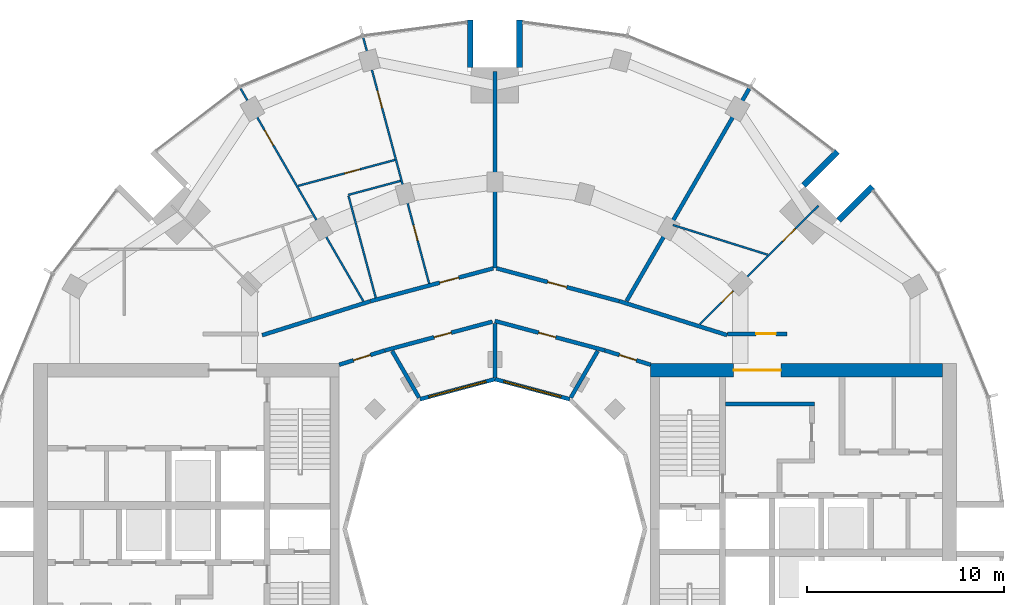
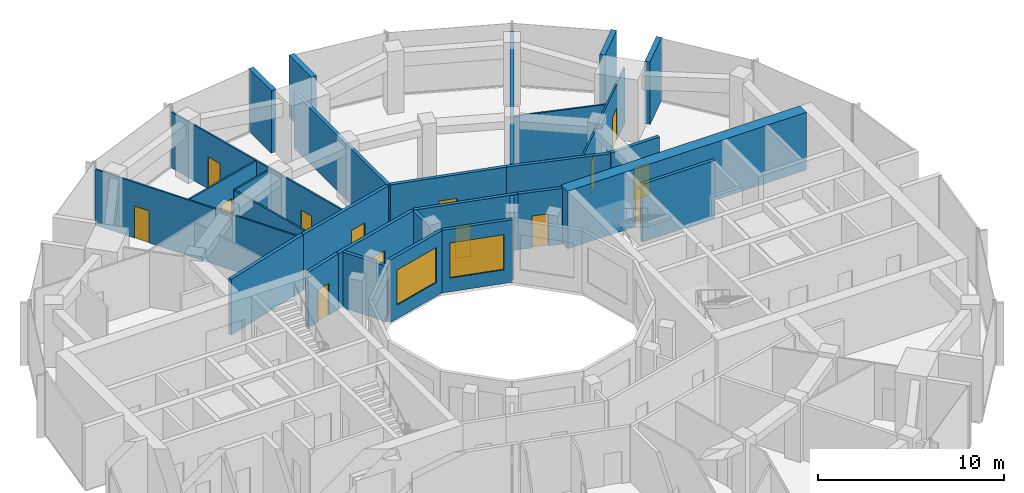
# One storey, part 12 of 15: 29 walls, 14 doors, 2 windows, 16 openings.
"""IFC4 building model written with IfcOpenShell, lengths in metres."""

import ifcopenshell
import ifcopenshell.guid

model = None  # the IFC model being written
_history = None  # IfcOwnerHistory: only IFC2X3 demands one
_inside = {}  # id of a spatial element -> (the spatial element, [elements in it])
_under = {}  # id of a project, library or spatial element -> (it, [spatial elements below it])
_declared = {}  # id of a project -> (the project, [libraries it declares])
_typed = {}  # id of a type object -> (the type object, [elements of that type])
_made_of = {}  # id of a material, layer set ... -> (it, [elements and type objects made of it])


def new_model(schema):
    """Start an empty IFC model of exactly this schema.

    Asked for "IFC4X3", IfcOpenShell would pick the latest addendum, in which some entities
    have other attributes; the version numbers below select the first issue.
    IFC2X3 requires an IfcOwnerHistory on every rooted entity: one is made here for all.
    """
    global model, _history
    if schema == "IFC4X3":
        model = ifcopenshell.file(schema_version=(4, 3, 0, 0))
    else:
        model = ifcopenshell.file(schema=schema)
    _inside.clear()
    _under.clear()
    _declared.clear()
    _typed.clear()
    _made_of.clear()
    _history = None
    if model.schema == "IFC2X3":
        org = make("IfcOrganization", Name="unknown")
        user = make(
            "IfcPersonAndOrganization",
            ThePerson=make("IfcPerson", FamilyName="unknown"),
            TheOrganization=org,
        )
        app = make(
            "IfcApplication",
            ApplicationDeveloper=org,
            Version="unknown",
            ApplicationFullName="unknown",
            ApplicationIdentifier="unknown",
        )
        _history = make(
            "IfcOwnerHistory",
            OwningUser=user,
            OwningApplication=app,
            ChangeAction="ADDED",
            CreationDate=0,
        )
    return model


def make(cls, **values):
    """One entity of the class cls with the attributes given. An attribute that is None is left unset."""
    return model.create_entity(
        cls, **{name: value for name, value in values.items() if value is not None}
    )


def rooted(cls, **values):
    """An entity with a GlobalId (a new one), such as an element, a storey or a relation."""
    return make(cls, GlobalId=ifcopenshell.guid.new(), OwnerHistory=_history, **values)


def si_unit(unit_type, name, prefix=None):
    """IfcSIUnit, for example si_unit("LENGTHUNIT", "METRE", prefix="MILLI")."""
    return make("IfcSIUnit", UnitType=unit_type, Prefix=prefix, Name=name)


def assignment(units):
    """IfcUnitAssignment: the units of a project."""
    return None if units is None else make("IfcUnitAssignment", Units=units)


def point(xyz):
    """IfcCartesianPoint."""
    return None if xyz is None else make("IfcCartesianPoint", Coordinates=xyz)


def direction(xyz):
    """IfcDirection."""
    return None if xyz is None else make("IfcDirection", DirectionRatios=xyz)


def frame(location, z_axis=None, x_axis=None):
    """IfcAxis2Placement3D, a coordinate frame: its origin and axes. An axis left out is left unset."""
    return make(
        "IfcAxis2Placement3D",
        Location=point(location),
        Axis=direction(z_axis),
        RefDirection=direction(x_axis),
    )


def frame_2d(location, x_axis=None):
    """IfcAxis2Placement2D, a coordinate frame in the plane: its origin and x axis."""
    return make(
        "IfcAxis2Placement2D", Location=point(location), RefDirection=direction(x_axis)
    )


def origin():
    """The frame at (0, 0, 0) with its axes left unset."""
    return frame((0.0, 0.0, 0.0))


def place(relative_to, where):
    """IfcLocalPlacement: puts the frame where relative to a parent placement (None: the world)."""
    return make(
        "IfcLocalPlacement", PlacementRelTo=relative_to, RelativePlacement=where
    )


def context(
    kind, dimensions, precision=None, world=None, true_north=None, identifier=None
):
    """IfcGeometricRepresentationContext, for example the 3D "Model" context."""
    return make(
        "IfcGeometricRepresentationContext",
        ContextIdentifier=identifier,
        ContextType=kind,
        CoordinateSpaceDimension=dimensions,
        Precision=precision,
        WorldCoordinateSystem=world,
        TrueNorth=true_north,
    )


def subcontext(parent, identifier, kind, view, scale=None):
    """IfcGeometricRepresentationSubContext, for example "Body" below "Model"."""
    return make(
        "IfcGeometricRepresentationSubContext",
        ContextIdentifier=identifier,
        ContextType=kind,
        ParentContext=parent,
        TargetScale=scale,
        TargetView=view,
    )


def project(units=None, contexts=None):
    """IfcProject with its units and contexts."""
    return rooted(
        "IfcProject",
        Name="project",
        RepresentationContexts=contexts,
        UnitsInContext=assignment(units),
    )


def spatial(cls, under=None, at=None, **own):
    """A site, building, storey or space (cls), placed at a placement, below another one or the project."""
    s = rooted(cls, ObjectPlacement=at, **own)
    if under is not None:
        _under.setdefault(under.id(), (under, []))[1].append(s)
    return s


def profile(cls, at=None, kind="AREA", **sizes):
    """A parametric profile (cls). Its sizes go by their IFC names, for example OverallWidth=200.0."""
    return make(cls, ProfileType=kind, Position=at, **sizes)


def rectangle(**sizes):
    """IfcRectangleProfileDef."""
    return profile("IfcRectangleProfileDef", **sizes)


def extrude(swept, where, along, depth):
    """IfcExtrudedAreaSolid: the profile swept, set in the frame where, extruded along a direction by depth."""
    return make(
        "IfcExtrudedAreaSolid",
        SweptArea=swept,
        Position=where,
        ExtrudedDirection=direction(along),
        Depth=depth,
    )


def shape(context_of_items, identifier, shape_type, items):
    """IfcShapeRepresentation: the items that make up one representation, for example the "Body"."""
    return make(
        "IfcShapeRepresentation",
        ContextOfItems=context_of_items,
        RepresentationIdentifier=identifier,
        RepresentationType=shape_type,
        Items=items,
    )


def material(Name=None, Category=None):
    """IfcMaterial."""
    return make("IfcMaterial", Name=Name, Category=Category)


def layer(
    of_material, thickness, ventilated=None, Name=None, Category=None, Priority=None
):
    """IfcMaterialLayer: one layer of a wall or slab, of a material (None: an air gap)."""
    return make(
        "IfcMaterialLayer",
        Material=of_material,
        LayerThickness=thickness,
        IsVentilated=ventilated,
        Name=Name,
        Category=Category,
        Priority=Priority,
    )


def layer_set(layers, Name=None):
    """IfcMaterialLayerSet."""
    return make("IfcMaterialLayerSet", MaterialLayers=layers, LayerSetName=Name)


def made_of(thing, what):
    """Note that an element or type object is made of a material, layer set ...; save() writes the relation."""
    if what is not None:
        _made_of.setdefault(what.id(), (what, []))[1].append(thing)
    return thing


def type_object(cls, material=None, **own):
    """A type object (cls), such as IfcWallType, which elements share."""
    return made_of(rooted(cls, **own), material)


def element(
    cls,
    number,
    at=None,
    inside=None,
    cuts=None,
    type_object=None,
    material=None,
    context=None,
    identifier="Body",
    shape_type=None,
    held_by="IfcProductDefinitionShape",
    body=None,
    shapes=None,
    **own,
):
    """One element of the class cls, such as IfcWall. Its Tag is "e" and its number.

    at: its placement. inside: the storey or other place that contains it. cuts: it is an
    opening in that element (IfcRelVoidsElement). A single representation is given by context,
    identifier, shape_type and body (its items); several are given by shapes. held_by: the class
    of the entity that holds the representations. save() writes the other relations.
    """
    e = rooted(cls, Tag="e%d" % number, ObjectPlacement=at, **own)
    if body is not None:
        shapes = [shape(context, identifier, shape_type, body)]
    if shapes is not None:
        e.Representation = make(held_by, Representations=shapes)
    if inside is not None:
        _inside.setdefault(inside.id(), (inside, []))[1].append(e)
    if cuts is not None:
        rooted(
            "IfcRelVoidsElement", RelatingBuildingElement=cuts, RelatedOpeningElement=e
        )
    if type_object is not None:
        _typed.setdefault(type_object.id(), (type_object, []))[1].append(e)
    return made_of(e, material)


def fill(opening, filler):
    """IfcRelFillsElement: the door or window that sits in an opening."""
    return rooted(
        "IfcRelFillsElement",
        RelatingOpeningElement=opening,
        RelatedBuildingElement=filler,
    )


def aggregate(whole, parts):
    """IfcRelAggregates: a whole, such as a stair, and the parts it consists of."""
    return rooted("IfcRelAggregates", RelatingObject=whole, RelatedObjects=parts)


def save(model, path):
    """Write the relations noted so far, then the file.

    IfcRelAggregates (storeys below a building ...), IfcRelContainedInSpatialStructure (elements
    in a storey), IfcRelDefinesByType, IfcRelAssociatesMaterial and IfcRelDeclares: one each for
    every whole, place, type object, material and project.
    """
    for whole, parts in _under.values():
        aggregate(whole, parts)
    for where, things in _inside.values():
        rooted(
            "IfcRelContainedInSpatialStructure",
            RelatedElements=things,
            RelatingStructure=where,
        )
    for kind, things in _typed.values():
        rooted("IfcRelDefinesByType", RelatedObjects=things, RelatingType=kind)
    for what, things in _made_of.values():
        rooted("IfcRelAssociatesMaterial", RelatedObjects=things, RelatingMaterial=what)
    for by, libraries in _declared.values():
        rooted("IfcRelDeclares", RelatingContext=by, RelatedDefinitions=libraries)
    model.write(path)


model = new_model("IFC4")

# Units and contexts
model_context = context("Model", 3, precision=1e-05, world=origin(), true_north=direction((0.0, 1.0)))
body_context = subcontext(model_context, "Body", "Model", "MODEL_VIEW")
ifc_project = project(units=[si_unit("LENGTHUNIT", "METRE"), si_unit("AREAUNIT", "SQUARE_METRE"), si_unit("VOLUMEUNIT", "CUBIC_METRE"), si_unit("PLANEANGLEUNIT", "RADIAN"), si_unit("MASSUNIT", "GRAM", prefix="KILO")], contexts=[model_context])

# Site, building, storey
site_placement = place(None, origin())
site = spatial("IfcSite", under=ifc_project, at=site_placement, CompositionType="ELEMENT")
building_placement = place(site_placement, origin())
building = spatial("IfcBuilding", under=site, at=building_placement, Name="Torre Brocal", CompositionType="ELEMENT")
storey_placement = place(building_placement, frame((0.0, 0.0, 161.800048828125)))
storey = spatial("IfcBuildingStorey", under=building, at=storey_placement, Name="L37", CompositionType="ELEMENT", Elevation=161.800048828125)

# Wall
ifc_material_1 = material(Name="Concrete C70", Category="concrete")
ifc_layer_1 = layer(ifc_material_1, 0.199951171875)
ifc_layer_set_1 = layer_set([ifc_layer_1], Name="Concrete C70")
wall_type_1 = type_object("IfcWallType", Name="CORE WALL 200 C70", PredefinedType="SHEAR", material=ifc_layer_set_1)
wall_1_placement = place(storey_placement, frame((91.699951171875, 81.35009765625, 0.0), z_axis=(0.0, 0.0, 1.0), x_axis=(1.0, 0.0, 0.0)))
element("IfcWall", 1, at=wall_1_placement, inside=storey, type_object=wall_type_1, Name="Wall CW200-70", PredefinedType="SHEAR", context=body_context, shape_type="SweptSolid", body=[
    extrude(rectangle(XDim=4.5, YDim=0.199951171875, at=frame_2d((2.25, 0.0))), origin(), (0.0, 0.0, 1.0), 3.780029296875),
])

# Wall, opening, door
ifc_material_2 = material(Name="Concrete C70", Category="concrete")
ifc_layer_2 = layer(ifc_material_2, 0.699951171875)
ifc_layer_set_2 = layer_set([ifc_layer_2], Name="Concrete C70")
wall_type_2 = type_object("IfcWallType", Name="CORE WALL 700 C70", PredefinedType="SHEAR", material=ifc_layer_set_2)
wall_2_placement = place(storey_placement, frame((87.89990234375, 83.050048828125, 0.0), z_axis=(0.0, 0.0, 1.0), x_axis=(1.0, 0.0, 0.0)))
wall_2 = element("IfcWall", 2, at=wall_2_placement, inside=storey, type_object=wall_type_2, Name="Wall CW700-70", PredefinedType="SHEAR", context=body_context, shape_type="SweptSolid", body=[
    extrude(rectangle(XDim=14.800048828125, YDim=0.699951171875, at=frame_2d((7.39990234375, 0.0))), origin(), (0.0, 0.0, 1.0), 3.780029296875),
])
opening_1_placement = place(wall_2_placement, frame((4.199951171875, 0.0, 0.0)))
opening_1 = element("IfcOpeningElement", 3, at=opening_1_placement, cuts=wall_2, Name="Opening E-D34", PredefinedType="OPENING", context=body_context, shape_type="SweptSolid", body=[
    extrude(rectangle(XDim=2.39990234375, YDim=2.39990234375, at=frame_2d((1.199951171875, 1.199951171875))), frame((0.0, 0.35986328125, 0.0), z_axis=(0.0, -1.0, 0.0), x_axis=(1.0, 0.0, 0.0)), (0.0, 0.0, 1.0), 0.719970703125),
])
ifc_material_3 = material(Name="Steel A653", Category="steel")
door_type_1 = type_object("IfcDoorType", Name="DOUBLE FIRE DOOR FD90 2400X2400", OperationType="DOUBLE_DOOR_SINGLE_SWING", PredefinedType="DOOR", material=ifc_material_3)
door_1_placement = place(opening_1_placement, frame((2.39990234375, 0.0, 0.0), z_axis=(0.0, 0.0, 1.0), x_axis=(-1.0, 0.0, 0.0)))
door_1 = element("IfcDoor", 4, at=door_1_placement, inside=storey, type_object=door_type_1, Name="Door E-D34", OperationType="DOUBLE_DOOR_SINGLE_SWING", OverallHeight=2.39990234375, OverallWidth=2.39990234375, PredefinedType="DOOR", context=body_context, shape_type="SweptSolid", body=[
    extrude(rectangle(XDim=2.39990234375, YDim=2.39990234375, at=frame_2d((1.199951171875, 1.199951171875))), frame((0.0, 0.02490234375, 0.0), z_axis=(0.0, -1.0, 0.0), x_axis=(1.0, 0.0, 0.0)), (0.0, 0.0, 1.0), 0.050048828125),
])
fill(opening_1, door_1)

# Walls
ifc_material_4 = material(Name="Concrete C70", Category="concrete")
ifc_layer_3 = layer(ifc_material_4, 0.300048828125)
ifc_layer_set_3 = layer_set([ifc_layer_3], Name="Concrete C70")
wall_type_3 = type_object("IfcWallType", Name="NOTCH RETURN WALL 300 C70", PredefinedType="NOTDEFINED", material=ifc_layer_set_3)
for number, where, z_axis, x_axis, name in (
    (5, (97.43017578125, 90.662353515625, 0.0), (0.0, 0.0, 1.0), (0.707106781187, 0.707106781187, 0.0), "NOTCH RETURN WALL"),
    (6, (95.662353515625, 92.43017578125, 0.0), (0.0, 0.0, 1.0), (0.707106781187, 0.707106781187, 0.0), "NOTCH RETURN WALL"),
    (7, (81.25, 98.39990234375, 0.0), (0.0, 0.0, 1.0), (0.0, 1.0, 0.0), "NOTCH RETURN WALL"),
    (8, (78.75, 98.39990234375, 0.0), (0.0, 0.0, 1.0), (0.0, 1.0, 0.0), "NOTCH RETURN WALL"),
):
    element("IfcWall", number, at=place(storey_placement, frame(where, z_axis=z_axis, x_axis=x_axis)), inside=storey, type_object=wall_type_3, Name=name, PredefinedType="NOTDEFINED", context=body_context, shape_type="SweptSolid", body=[
        extrude(rectangle(XDim=2.415771484375, YDim=0.300048828125, at=frame_2d((1.2080078125, 0.0))), origin(), (0.0, 0.0, 1.0), 4.099853515625),
    ])

# Wall, opening, door
ifc_material_5 = material(Name="Gypsum board", Category="Gypsum")
ifc_layer_4 = layer(ifc_material_5, 0.10009765625)
ifc_layer_set_4 = layer_set([ifc_layer_4], Name="Gypsum board")
wall_type_4 = type_object("IfcWallType", Name="PARTITION 100", PredefinedType="PARTITIONING", material=ifc_layer_set_4)
wall_3_placement = place(storey_placement, frame((67.101318359375, 97.341552734375, 0.0), z_axis=(0.0, 0.0, 1.0), x_axis=(0.499929451451, -0.866066131177, 0.0)))
wall_3 = element("IfcWall", 9, at=wall_3_placement, inside=storey, type_object=wall_type_4, Name="BATHROOM WALL", PredefinedType="PARTITIONING", context=body_context, shape_type="SweptSolid", body=[
    extrude(rectangle(XDim=12.455810546875, YDim=0.10009765625, at=frame_2d((6.22802734375, 0.0))), origin(), (0.0, 0.0, 1.0), 3.64990234375),
])
opening_2_placement = place(wall_3_placement, frame((2.434326171875, 0.0, 0.0)))
opening_2 = element("IfcOpeningElement", 10, at=opening_2_placement, cuts=wall_3, Name="Opening R01-D09", PredefinedType="OPENING", context=body_context, shape_type="SweptSolid", body=[
    extrude(rectangle(XDim=0.89990234375, YDim=2.10009765625, at=frame_2d((0.449951171875, 1.050048828125))), frame((0.0, 0.06005859375, 0.0), z_axis=(0.0, -1.0, 0.0), x_axis=(1.0, 0.0, 0.0)), (0.0, 0.0, 1.0), 0.1201171875),
])
ifc_material_6 = material(Name="Timber", Category="wood")
door_type_2 = type_object("IfcDoorType", Name="ROOM DOOR 900X2100", OperationType="SINGLE_SWING_LEFT", PredefinedType="DOOR", material=ifc_material_6)
door_2_placement = place(opening_2_placement, frame((0.89990234375, 0.0, 0.0), z_axis=(0.0, 0.0, 1.0), x_axis=(-1.0, 0.0, 0.0)))
door_2 = element("IfcDoor", 11, at=door_2_placement, inside=storey, type_object=door_type_2, Name="R01-D09", OperationType="SINGLE_SWING_RIGHT", OverallHeight=2.10009765625, OverallWidth=0.89990234375, PredefinedType="DOOR", context=body_context, shape_type="SweptSolid", body=[
    extrude(rectangle(XDim=0.89990234375, YDim=2.10009765625, at=frame_2d((0.449951171875, 1.050048828125))), frame((0.0, 0.02490234375, 0.0), z_axis=(0.0, -1.0, 0.0), x_axis=(1.0, 0.0, 0.0)), (0.0, 0.0, 1.0), 0.050048828125),
])
fill(opening_2, door_2)

wall_4_placement = place(storey_placement, frame((70.01904296875, 92.404541015625, 0.0), z_axis=(0.0, 0.0, 1.0), x_axis=(0.965982744428, 0.258606530209, 0.0)))
wall_4 = element("IfcWall", 12, at=wall_4_placement, inside=storey, type_object=wall_type_4, Name="BATHROOM WALL", PredefinedType="PARTITIONING", context=body_context, shape_type="SweptSolid", body=[
    extrude(rectangle(XDim=5.086669921875, YDim=0.10009765625, at=frame_2d((2.54345703125, 0.0))), origin(), (0.0, 0.0, 1.0), 3.64990234375),
])
opening_3_placement = place(wall_4_placement, frame((2.4384765625, 0.0, 0.0)))
opening_3 = element("IfcOpeningElement", 13, at=opening_3_placement, cuts=wall_4, Name="Opening R01-D07", PredefinedType="OPENING", context=body_context, shape_type="SweptSolid", body=[
    extrude(rectangle(XDim=0.800048828125, YDim=2.10009765625, at=frame_2d((0.39990234375, 1.050048828125))), frame((0.0, 0.06005859375, 0.0), z_axis=(0.0, -1.0, 0.0), x_axis=(1.0, 0.0, 0.0)), (0.0, 0.0, 1.0), 0.1201171875),
])
ifc_material_7 = material(Name="Timber", Category="wood")
door_type_3 = type_object("IfcDoorType", Name="BATHROOM DOOR 800X2100", OperationType="SINGLE_SWING_LEFT", PredefinedType="DOOR", material=ifc_material_7)
door_3_placement = place(opening_3_placement, frame((0.800048828125, 0.0, 0.0), z_axis=(0.0, 0.0, 1.0), x_axis=(-1.0, 0.0, 0.0)))
door_3 = element("IfcDoor", 14, at=door_3_placement, inside=storey, type_object=door_type_3, Name="R01-D07", OperationType="SINGLE_SWING_LEFT", OverallHeight=2.10009765625, OverallWidth=0.800048828125, PredefinedType="DOOR", context=body_context, shape_type="SweptSolid", body=[
    extrude(rectangle(XDim=0.800048828125, YDim=2.10009765625, at=frame_2d((0.39990234375, 1.050048828125))), frame((0.0, 0.02490234375, 0.0), z_axis=(0.0, -1.0, 0.0), x_axis=(1.0, 0.0, 0.0)), (0.0, 0.0, 1.0), 0.050048828125),
])
fill(opening_3, door_3)

# Walls
wall_5_placement = place(storey_placement, frame((72.574462890625, 91.897705078125, 0.0), z_axis=(0.0, 0.0, 1.0), x_axis=(0.258739127054, -0.965947236722, 0.0)))
element("IfcWall", 15, at=wall_5_placement, inside=storey, type_object=wall_type_4, Name="BATHROOM WALL", PredefinedType="PARTITIONING", context=body_context, shape_type="SweptSolid", body=[
    extrude(rectangle(XDim=5.34912109375, YDim=0.10009765625, at=frame_2d((2.674560546875, 0.0))), origin(), (0.0, 0.0, 1.0), 3.64990234375),
])
wall_6_placement = place(storey_placement, frame((72.56103515625, 91.946044921875, 0.0), z_axis=(0.0, 0.0, 1.0), x_axis=(0.96591000446, 0.258878085754, 0.0)))
element("IfcWall", 16, at=wall_6_placement, inside=storey, type_object=wall_type_4, Name="BATHROOM WALL", PredefinedType="PARTITIONING", context=body_context, shape_type="SweptSolid", body=[
    extrude(rectangle(XDim=2.75, YDim=0.10009765625, at=frame_2d((1.375, 0.0))), origin(), (0.0, 0.0, 1.0), 3.64990234375),
])

# Wall, openings, doors
wall_7_placement = place(storey_placement, frame((73.324462890625, 99.919677734375, 0.0), z_axis=(0.0, 0.0, 1.0), x_axis=(0.258710550884, -0.965954890697, 0.0)))
wall_7 = element("IfcWall", 17, at=wall_7_placement, inside=storey, type_object=wall_type_4, Name="BATHROOM WALL", PredefinedType="PARTITIONING", context=body_context, shape_type="SweptSolid", body=[
    extrude(rectangle(XDim=12.90380859375, YDim=0.10009765625, at=frame_2d((6.451904296875, 0.0))), origin(), (0.0, 0.0, 1.0), 3.64990234375),
])
opening_4_placement = place(wall_7_placement, frame((2.787109375, 0.0, 0.0)))
opening_4 = element("IfcOpeningElement", 18, at=opening_4_placement, cuts=wall_7, Name="Opening R01-D06", PredefinedType="OPENING", context=body_context, shape_type="SweptSolid", body=[
    extrude(rectangle(XDim=0.89990234375, YDim=2.10009765625, at=frame_2d((0.449951171875, 1.050048828125))), frame((0.0, 0.06005859375, 0.0), z_axis=(0.0, -1.0, 0.0), x_axis=(1.0, 0.0, 0.0)), (0.0, 0.0, 1.0), 0.1201171875),
])
opening_5_placement = place(wall_7_placement, frame((9.844482421875, 0.0, 0.0)))
opening_5 = element("IfcOpeningElement", 19, at=opening_5_placement, cuts=wall_7, Name="Opening R01-D08", PredefinedType="OPENING", context=body_context, shape_type="SweptSolid", body=[
    extrude(rectangle(XDim=0.800048828125, YDim=2.10009765625, at=frame_2d((0.39990234375, 1.050048828125))), frame((0.0, 0.06005859375, 0.0), z_axis=(0.0, -1.0, 0.0), x_axis=(1.0, 0.0, 0.0)), (0.0, 0.0, 1.0), 0.1201171875),
])
door_4_placement = place(opening_5_placement, frame((0.800048828125, 0.0, 0.0), z_axis=(0.0, 0.0, 1.0), x_axis=(-1.0, 0.0, 0.0)))
door_4 = element("IfcDoor", 20, at=door_4_placement, inside=storey, type_object=door_type_3, Name="R01-D08", OperationType="SINGLE_SWING_RIGHT", OverallHeight=2.10009765625, OverallWidth=0.800048828125, PredefinedType="DOOR", context=body_context, shape_type="SweptSolid", body=[
    extrude(rectangle(XDim=0.800048828125, YDim=2.10009765625, at=frame_2d((0.39990234375, 1.050048828125))), frame((0.0, 0.02490234375, 0.0), z_axis=(0.0, -1.0, 0.0), x_axis=(1.0, 0.0, 0.0)), (0.0, 0.0, 1.0), 0.050048828125),
])
fill(opening_5, door_4)
door_5_placement = place(opening_4_placement, frame((0.89990234375, 0.0, 0.0), z_axis=(0.0, 0.0, 1.0), x_axis=(-1.0, 0.0, 0.0)))
door_5 = element("IfcDoor", 21, at=door_5_placement, inside=storey, type_object=door_type_2, Name="R01-D06", OperationType="SINGLE_SWING_RIGHT", OverallHeight=2.10009765625, OverallWidth=0.89990234375, PredefinedType="DOOR", context=body_context, shape_type="SweptSolid", body=[
    extrude(rectangle(XDim=0.89990234375, YDim=2.10009765625, at=frame_2d((0.449951171875, 1.050048828125))), frame((0.0, 0.02490234375, 0.0), z_axis=(0.0, -1.0, 0.0), x_axis=(1.0, 0.0, 0.0)), (0.0, 0.0, 1.0), 0.050048828125),
])
fill(opening_4, door_5)

# Wall
wall_8_placement = place(storey_placement, frame((89.026123046875, 90.4189453125, 0.0), z_axis=(0.0, 0.0, 1.0), x_axis=(0.954207609901, -0.299145177475, 0.0)))
element("IfcWall", 22, at=wall_8_placement, inside=storey, type_object=wall_type_4, Name="BATHROOM WALL", PredefinedType="PARTITIONING", context=body_context, shape_type="SweptSolid", body=[
    extrude(rectangle(XDim=5.031494140625, YDim=0.10009765625, at=frame_2d((2.515625, 0.0))), origin(), (0.0, 0.0, 1.0), 3.64990234375),
])

# Wall, openings, doors
wall_9_placement = place(storey_placement, frame((90.396484375, 85.393310546875, 0.0), z_axis=(0.0, 0.0, 1.0), x_axis=(0.707236031471, 0.706977507273, 0.0)))
wall_9 = element("IfcWall", 23, at=wall_9_placement, inside=storey, type_object=wall_type_4, Name="BATHROOM WALL", PredefinedType="PARTITIONING", context=body_context, shape_type="SweptSolid", body=[
    extrude(rectangle(XDim=8.499267578125, YDim=0.10009765625, at=frame_2d((4.24951171875, 0.0))), origin(), (0.0, 0.0, 1.0), 3.64990234375),
])
opening_6_placement = place(wall_9_placement, frame((5.937255859375, 0.0, 0.0)))
opening_6 = element("IfcOpeningElement", 24, at=opening_6_placement, cuts=wall_9, Name="Opening R01-D02", PredefinedType="OPENING", context=body_context, shape_type="SweptSolid", body=[
    extrude(rectangle(XDim=0.89990234375, YDim=2.10009765625, at=frame_2d((0.449951171875, 1.050048828125))), frame((0.0, 0.06005859375, 0.0), z_axis=(0.0, -1.0, 0.0), x_axis=(1.0, 0.0, 0.0)), (0.0, 0.0, 1.0), 0.1201171875),
])
opening_7_placement = place(wall_9_placement, frame((1.56201171875, 0.0, 0.0)))
opening_7 = element("IfcOpeningElement", 25, at=opening_7_placement, cuts=wall_9, Name="Opening R01-D03", PredefinedType="OPENING", context=body_context, shape_type="SweptSolid", body=[
    extrude(rectangle(XDim=0.800048828125, YDim=2.10009765625, at=frame_2d((0.39990234375, 1.050048828125))), frame((0.0, 0.06005859375, 0.0), z_axis=(0.0, -1.0, 0.0), x_axis=(1.0, 0.0, 0.0)), (0.0, 0.0, 1.0), 0.1201171875),
])
door_6_placement = place(opening_7_placement, origin())
door_6 = element("IfcDoor", 26, at=door_6_placement, inside=storey, type_object=door_type_3, Name="R01-D03", OperationType="SINGLE_SWING_LEFT", OverallHeight=2.10009765625, OverallWidth=0.800048828125, PredefinedType="DOOR", context=body_context, shape_type="SweptSolid", body=[
    extrude(rectangle(XDim=0.800048828125, YDim=2.10009765625, at=frame_2d((0.39990234375, 1.050048828125))), frame((0.0, 0.02490234375, 0.0), z_axis=(0.0, -1.0, 0.0), x_axis=(1.0, 0.0, 0.0)), (0.0, 0.0, 1.0), 0.050048828125),
])
fill(opening_7, door_6)
door_7_placement = place(opening_6_placement, frame((0.89990234375, 0.0, 0.0), z_axis=(0.0, 0.0, 1.0), x_axis=(-1.0, 0.0, 0.0)))
door_7 = element("IfcDoor", 27, at=door_7_placement, inside=storey, type_object=door_type_2, Name="R01-D02", OperationType="SINGLE_SWING_RIGHT", OverallHeight=2.10009765625, OverallWidth=0.89990234375, PredefinedType="DOOR", context=body_context, shape_type="SweptSolid", body=[
    extrude(rectangle(XDim=0.89990234375, YDim=2.10009765625, at=frame_2d((0.449951171875, 1.050048828125))), frame((0.0, 0.02490234375, 0.0), z_axis=(0.0, -1.0, 0.0), x_axis=(1.0, 0.0, 0.0)), (0.0, 0.0, 1.0), 0.050048828125),
])
fill(opening_6, door_7)

# Wall
ifc_material_8 = material(Name="Gypsum board", Category="Gypsum")
ifc_layer_5 = layer(ifc_material_8, 0.199951171875)
ifc_layer_set_5 = layer_set([ifc_layer_5], Name="Gypsum board")
wall_type_5 = type_object("IfcWallType", Name="PARTITION 200 EI60", PredefinedType="PARTITIONING", material=ifc_layer_set_5)
wall_10_placement = place(storey_placement, frame((68.19970703125, 84.833984375, 0.0), z_axis=(0.0, 0.0, 1.0), x_axis=(0.954272398161, 0.298938438661, 0.0)))
element("IfcWall", 28, at=wall_10_placement, inside=storey, type_object=wall_type_5, Name="CORRIDOR WALL", PredefinedType="PARTITIONING", context=body_context, shape_type="SweptSolid", body=[
    extrude(rectangle(XDim=5.740478515625, YDim=0.199951171875, at=frame_2d((2.8701171875, 0.0))), origin(), (0.0, 0.0, 1.0), 3.64990234375),
])

# Wall, opening, door
wall_11_placement = place(storey_placement, frame((72.10009765625, 83.33203125, 0.0), z_axis=(0.0, 0.0, 1.0), x_axis=(0.954233106619, 0.299063836383, 0.0)))
wall_11 = element("IfcWall", 29, at=wall_11_placement, inside=storey, type_object=wall_type_5, Name="CORRIDOR WALL", PredefinedType="PARTITIONING", context=body_context, shape_type="SweptSolid", body=[
    extrude(rectangle(XDim=2.4140625, YDim=0.199951171875, at=frame_2d((1.20703125, 0.0))), origin(), (0.0, 0.0, 1.0), 3.64990234375),
])
opening_8_placement = place(wall_11_placement, frame((0.761962890625, 0.0, 0.0)))
opening_8 = element("IfcOpeningElement", 30, at=opening_8_placement, cuts=wall_11, Name="Opening R01-D18", PredefinedType="OPENING", context=body_context, shape_type="SweptSolid", body=[
    extrude(rectangle(XDim=0.89990234375, YDim=2.10009765625, at=frame_2d((0.449951171875, 1.050048828125))), frame((0.0, 0.10986328125, 0.0), z_axis=(0.0, -1.0, 0.0), x_axis=(1.0, 0.0, 0.0)), (0.0, 0.0, 1.0), 0.219970703125),
])
door_8_placement = place(opening_8_placement, frame((0.89990234375, 0.0, 0.0), z_axis=(0.0, 0.0, 1.0), x_axis=(-1.0, 0.0, 0.0)))
door_8 = element("IfcDoor", 31, at=door_8_placement, inside=storey, type_object=door_type_2, Name="R01-D18", OperationType="SINGLE_SWING_RIGHT", OverallHeight=2.10009765625, OverallWidth=0.89990234375, PredefinedType="DOOR", context=body_context, shape_type="SweptSolid", body=[
    extrude(rectangle(XDim=0.89990234375, YDim=2.10009765625, at=frame_2d((0.449951171875, 1.050048828125))), frame((0.0, 0.02490234375, 0.0), z_axis=(0.0, -1.0, 0.0), x_axis=(1.0, 0.0, 0.0)), (0.0, 0.0, 1.0), 0.050048828125),
])
fill(opening_8, door_8)

wall_12_placement = place(storey_placement, frame((73.68701171875, 86.554443359375, 0.0), z_axis=(0.0, 0.0, 1.0), x_axis=(0.965999420828, 0.258544230182, 0.0)))
wall_12 = element("IfcWall", 32, at=wall_12_placement, inside=storey, type_object=wall_type_5, Name="FLAT ENTRANCE WALL", PredefinedType="PARTITIONING", context=body_context, shape_type="SweptSolid", body=[
    extrude(rectangle(XDim=6.44580078125, YDim=0.199951171875, at=frame_2d((3.222900390625, 0.0))), origin(), (0.0, 0.0, 1.0), 3.64990234375),
])
opening_9_placement = place(wall_12_placement, frame((3.63818359375, 0.0, 0.0)))
opening_9 = element("IfcOpeningElement", 33, at=opening_9_placement, cuts=wall_12, Name="Opening R01-D05", PredefinedType="OPENING", context=body_context, shape_type="SweptSolid", body=[
    extrude(rectangle(XDim=1.0, YDim=2.10009765625, at=frame_2d((0.5, 1.050048828125))), frame((0.0, 0.10986328125, 0.0), z_axis=(0.0, -1.0, 0.0), x_axis=(1.0, 0.0, 0.0)), (0.0, 0.0, 1.0), 0.219970703125),
])
ifc_material_9 = material(Name="Timber", Category="wood")
door_type_4 = type_object("IfcDoorType", Name="FLAT ENTRY DOOR FD30S 1000X2100", OperationType="SINGLE_SWING_RIGHT", PredefinedType="DOOR", material=ifc_material_9)
door_9_placement = place(opening_9_placement, origin())
door_9 = element("IfcDoor", 34, at=door_9_placement, inside=storey, type_object=door_type_4, Name="R01-D05", OperationType="SINGLE_SWING_LEFT", OverallHeight=2.10009765625, OverallWidth=1.0, PredefinedType="DOOR", context=body_context, shape_type="SweptSolid", body=[
    extrude(rectangle(XDim=1.0, YDim=2.10009765625, at=frame_2d((0.5, 1.050048828125))), frame((0.0, 0.02490234375, 0.0), z_axis=(0.0, -1.0, 0.0), x_axis=(1.0, 0.0, 0.0)), (0.0, 0.0, 1.0), 0.050048828125),
])
fill(opening_9, door_9)

wall_13_placement = place(storey_placement, frame((74.4130859375, 84.056884765625, 0.0), z_axis=(0.0, 0.0, 1.0), x_axis=(0.965972135939, 0.258646153246, 0.0)))
wall_13 = element("IfcWall", 35, at=wall_13_placement, inside=storey, type_object=wall_type_5, Name="CORRIDOR WALL", PredefinedType="PARTITIONING", context=body_context, shape_type="SweptSolid", body=[
    extrude(rectangle(XDim=5.654052734375, YDim=0.199951171875, at=frame_2d((2.8271484375, 0.0))), origin(), (0.0, 0.0, 1.0), 3.64990234375),
])
opening_10_placement = place(wall_13_placement, frame((2.5927734375, 0.0, 0.0)))
opening_10 = element("IfcOpeningElement", 36, at=opening_10_placement, cuts=wall_13, Name="Opening R01-D17", PredefinedType="OPENING", context=body_context, shape_type="SweptSolid", body=[
    extrude(rectangle(XDim=0.89990234375, YDim=2.10009765625, at=frame_2d((0.449951171875, 1.050048828125))), frame((0.0, 0.10986328125, 0.0), z_axis=(0.0, -1.0, 0.0), x_axis=(1.0, 0.0, 0.0)), (0.0, 0.0, 1.0), 0.219970703125),
])
door_10_placement = place(opening_10_placement, frame((0.89990234375, 0.0, 0.0), z_axis=(0.0, 0.0, 1.0), x_axis=(-1.0, 0.0, 0.0)))
door_10 = element("IfcDoor", 37, at=door_10_placement, inside=storey, type_object=door_type_2, Name="R01-D17", OperationType="SINGLE_SWING_RIGHT", OverallHeight=2.10009765625, OverallWidth=0.89990234375, PredefinedType="DOOR", context=body_context, shape_type="SweptSolid", body=[
    extrude(rectangle(XDim=0.89990234375, YDim=2.10009765625, at=frame_2d((0.449951171875, 1.050048828125))), frame((0.0, 0.02490234375, 0.0), z_axis=(0.0, -1.0, 0.0), x_axis=(1.0, 0.0, 0.0)), (0.0, 0.0, 1.0), 0.050048828125),
])
fill(opening_10, door_10)

# Walls
wall_14_placement = place(storey_placement, frame((74.78955078125, 84.0283203125, 0.0), z_axis=(0.0, 0.0, 1.0), x_axis=(0.499905962189, -0.866079689733, 0.0)))
element("IfcWall", 38, at=wall_14_placement, inside=storey, type_object=wall_type_5, Name="PARTY PARTITION", PredefinedType="PARTITIONING", context=body_context, shape_type="SweptSolid", body=[
    extrude(rectangle(XDim=2.7255859375, YDim=0.199951171875, at=frame_2d((1.36279296875, 0.0))), origin(), (0.0, 0.0, 1.0), 3.64990234375),
])
wall_15_placement = place(storey_placement, frame((80.0, 82.698974609375, 0.0), z_axis=(0.0, 0.0, 1.0), x_axis=(0.0, 1.0, 0.0)))
element("IfcWall", 39, at=wall_15_placement, inside=storey, type_object=wall_type_5, Name="SERVICE ROOM WALL", PredefinedType="PARTITIONING", context=body_context, shape_type="SweptSolid", body=[
    extrude(rectangle(XDim=2.72509765625, YDim=0.199951171875, at=frame_2d((1.362548828125, 0.0))), origin(), (0.0, 0.0, 1.0), 3.64990234375),
])

# Wall, opening, door
wall_16_placement = place(storey_placement, frame((80.0, 85.553955078125, 0.0), z_axis=(0.0, 0.0, 1.0), x_axis=(0.965928989968, -0.258807237802, 0.0)))
wall_16 = element("IfcWall", 40, at=wall_16_placement, inside=storey, type_object=wall_type_5, Name="CORRIDOR WALL", PredefinedType="PARTITIONING", context=body_context, shape_type="SweptSolid", body=[
    extrude(rectangle(XDim=5.774169921875, YDim=0.199951171875, at=frame_2d((2.88720703125, 0.0))), origin(), (0.0, 0.0, 1.0), 3.64990234375),
])
opening_11_placement = place(wall_16_placement, frame((2.29150390625, 0.0, 0.0)))
opening_11 = element("IfcOpeningElement", 41, at=opening_11_placement, cuts=wall_16, Name="Opening R01-D16", PredefinedType="OPENING", context=body_context, shape_type="SweptSolid", body=[
    extrude(rectangle(XDim=0.89990234375, YDim=2.10009765625, at=frame_2d((0.449951171875, 1.050048828125))), frame((0.0, 0.10986328125, 0.0), z_axis=(0.0, -1.0, 0.0), x_axis=(1.0, 0.0, 0.0)), (0.0, 0.0, 1.0), 0.219970703125),
])
door_11_placement = place(opening_11_placement, frame((0.89990234375, 0.0, 0.0), z_axis=(0.0, 0.0, 1.0), x_axis=(-1.0, 0.0, 0.0)))
door_11 = element("IfcDoor", 42, at=door_11_placement, inside=storey, type_object=door_type_2, Name="R01-D16", OperationType="SINGLE_SWING_LEFT", OverallHeight=2.10009765625, OverallWidth=0.89990234375, PredefinedType="DOOR", context=body_context, shape_type="SweptSolid", body=[
    extrude(rectangle(XDim=0.89990234375, YDim=2.10009765625, at=frame_2d((0.449951171875, 1.050048828125))), frame((0.0, 0.02490234375, 0.0), z_axis=(0.0, -1.0, 0.0), x_axis=(1.0, 0.0, 0.0)), (0.0, 0.0, 1.0), 0.050048828125),
])
fill(opening_11, door_11)

wall_17_placement = place(storey_placement, frame((80.0869140625, 88.222900390625, 0.0), z_axis=(0.0, 0.0, 1.0), x_axis=(0.965852330757, -0.25909317855, 0.0)))
wall_17 = element("IfcWall", 43, at=wall_17_placement, inside=storey, type_object=wall_type_5, Name="FLAT ENTRANCE WALL", PredefinedType="PARTITIONING", context=body_context, shape_type="SweptSolid", body=[
    extrude(rectangle(XDim=6.435791015625, YDim=0.199951171875, at=frame_2d((3.2177734375, 0.0))), origin(), (0.0, 0.0, 1.0), 3.64990234375),
])
opening_12_placement = place(wall_17_placement, frame((2.677978515625, 0.0, 0.0)))
opening_12 = element("IfcOpeningElement", 44, at=opening_12_placement, cuts=wall_17, Name="Opening R01-D04", PredefinedType="OPENING", context=body_context, shape_type="SweptSolid", body=[
    extrude(rectangle(XDim=1.0, YDim=2.10009765625, at=frame_2d((0.5, 1.050048828125))), frame((0.0, 0.10986328125, 0.0), z_axis=(0.0, -1.0, 0.0), x_axis=(1.0, 0.0, 0.0)), (0.0, 0.0, 1.0), 0.219970703125),
])
door_12_placement = place(opening_12_placement, origin())
door_12 = element("IfcDoor", 45, at=door_12_placement, inside=storey, type_object=door_type_4, Name="R01-D04", OperationType="SINGLE_SWING_LEFT", OverallHeight=2.10009765625, OverallWidth=1.0, PredefinedType="DOOR", context=body_context, shape_type="SweptSolid", body=[
    extrude(rectangle(XDim=1.0, YDim=2.10009765625, at=frame_2d((0.5, 1.050048828125))), frame((0.0, 0.02490234375, 0.0), z_axis=(0.0, -1.0, 0.0), x_axis=(1.0, 0.0, 0.0)), (0.0, 0.0, 1.0), 0.050048828125),
])
fill(opening_12, door_12)

# Walls
wall_18_placement = place(storey_placement, frame((80.0, 88.2470703125, 0.0), z_axis=(0.0, 0.0, 1.0), x_axis=(0.0, 1.0, 0.0)))
element("IfcWall", 46, at=wall_18_placement, inside=storey, type_object=wall_type_5, Name="PARTY PARTITION", PredefinedType="PARTITIONING", context=body_context, shape_type="SweptSolid", body=[
    extrude(rectangle(XDim=9.951904296875, YDim=0.199951171875, at=frame_2d((4.97607421875, 0.0))), origin(), (0.0, 0.0, 1.0), 3.64990234375),
])
wall_19_placement = place(storey_placement, frame((83.848388671875, 81.66748046875, 0.0), z_axis=(0.0, 0.0, 1.0), x_axis=(0.500185068774, 0.865918527909, 0.0)))
element("IfcWall", 47, at=wall_19_placement, inside=storey, type_object=wall_type_5, Name="SERVICE ROOM WALL", PredefinedType="PARTITIONING", context=body_context, shape_type="SweptSolid", body=[
    extrude(rectangle(XDim=2.7255859375, YDim=0.199951171875, at=frame_2d((1.36279296875, 0.0))), origin(), (0.0, 0.0, 1.0), 3.64990234375),
])

# Wall, opening, door
wall_20_placement = place(storey_placement, frame((85.5869140625, 84.056884765625, 0.0), z_axis=(0.0, 0.0, 1.0), x_axis=(0.954239513179, -0.299043393987, 0.0)))
wall_20 = element("IfcWall", 48, at=wall_20_placement, inside=storey, type_object=wall_type_5, Name="CORRIDOR WALL", PredefinedType="PARTITIONING", context=body_context, shape_type="SweptSolid", body=[
    extrude(rectangle(XDim=2.423828125, YDim=0.199951171875, at=frame_2d((1.2119140625, 0.0))), origin(), (0.0, 0.0, 1.0), 3.64990234375),
])
opening_13_placement = place(wall_20_placement, frame((0.761962890625, 0.0, 0.0)))
opening_13 = element("IfcOpeningElement", 49, at=opening_13_placement, cuts=wall_20, Name="Opening R01-D15", PredefinedType="OPENING", context=body_context, shape_type="SweptSolid", body=[
    extrude(rectangle(XDim=0.89990234375, YDim=2.10009765625, at=frame_2d((0.449951171875, 1.050048828125))), frame((0.0, 0.10986328125, 0.0), z_axis=(0.0, -1.0, 0.0), x_axis=(1.0, 0.0, 0.0)), (0.0, 0.0, 1.0), 0.219970703125),
])
door_13_placement = place(opening_13_placement, frame((0.89990234375, 0.0, 0.0), z_axis=(0.0, 0.0, 1.0), x_axis=(-1.0, 0.0, 0.0)))
door_13 = element("IfcDoor", 50, at=door_13_placement, inside=storey, type_object=door_type_2, Name="R01-D15", OperationType="SINGLE_SWING_LEFT", OverallHeight=2.10009765625, OverallWidth=0.89990234375, PredefinedType="DOOR", context=body_context, shape_type="SweptSolid", body=[
    extrude(rectangle(XDim=0.89990234375, YDim=2.10009765625, at=frame_2d((0.449951171875, 1.050048828125))), frame((0.0, 0.02490234375, 0.0), z_axis=(0.0, -1.0, 0.0), x_axis=(1.0, 0.0, 0.0)), (0.0, 0.0, 1.0), 0.050048828125),
])
fill(opening_13, door_13)

# Walls
wall_21_placement = place(storey_placement, frame((86.313232421875, 86.554931640625, 0.0), z_axis=(0.0, 0.0, 1.0), x_axis=(0.953919398959, -0.300062960544, 0.0)))
element("IfcWall", 51, at=wall_21_placement, inside=storey, type_object=wall_type_5, Name="FLAT ENTRANCE WALL", PredefinedType="PARTITIONING", context=body_context, shape_type="SweptSolid", body=[
    extrude(rectangle(XDim=5.720703125, YDim=0.199951171875, at=frame_2d((2.8603515625, 0.0))), origin(), (0.0, 0.0, 1.0), 3.64990234375),
])
wall_22_placement = place(storey_placement, frame((86.676513671875, 86.56396484375, 0.0), z_axis=(0.0, 0.0, 1.0), x_axis=(0.500120377296, 0.865955892764, 0.0)))
element("IfcWall", 52, at=wall_22_placement, inside=storey, type_object=wall_type_5, Name="BATHROOM WALL", PredefinedType="PARTITIONING", context=body_context, shape_type="SweptSolid", body=[
    extrude(rectangle(XDim=12.44482421875, YDim=0.199951171875, at=frame_2d((6.222412109375, 0.0))), origin(), (0.0, 0.0, 1.0), 3.64990234375),
])

# Wall, opening, door
wall_23_placement = place(storey_placement, frame((91.800048828125, 84.89990234375, 0.0), z_axis=(0.0, 0.0, 1.0), x_axis=(1.0, 0.0, 0.0)))
wall_23 = element("IfcWall", 53, at=wall_23_placement, inside=storey, type_object=wall_type_5, Name="FLAT ENTRANCE WALL", PredefinedType="PARTITIONING", context=body_context, shape_type="SweptSolid", body=[
    extrude(rectangle(XDim=3.0, YDim=0.199951171875, at=frame_2d((1.5, 0.0))), origin(), (0.0, 0.0, 1.0), 3.64990234375),
])
opening_14_placement = place(wall_23_placement, frame((1.449951171875, 0.0, 0.0)))
opening_14 = element("IfcOpeningElement", 54, at=opening_14_placement, cuts=wall_23, Name="Opening R01-D01", PredefinedType="OPENING", context=body_context, shape_type="SweptSolid", body=[
    extrude(rectangle(XDim=1.0, YDim=2.10009765625, at=frame_2d((0.5, 1.050048828125))), frame((0.0, 0.10986328125, 0.0), z_axis=(0.0, -1.0, 0.0), x_axis=(1.0, 0.0, 0.0)), (0.0, 0.0, 1.0), 0.219970703125),
])
door_14_placement = place(opening_14_placement, origin())
door_14 = element("IfcDoor", 55, at=door_14_placement, inside=storey, type_object=door_type_4, Name="R01-D01", OperationType="SINGLE_SWING_LEFT", OverallHeight=2.10009765625, OverallWidth=1.0, PredefinedType="DOOR", context=body_context, shape_type="SweptSolid", body=[
    extrude(rectangle(XDim=1.0, YDim=2.10009765625, at=frame_2d((0.5, 1.050048828125))), frame((0.0, 0.02490234375, 0.0), z_axis=(0.0, -1.0, 0.0), x_axis=(1.0, 0.0, 0.0)), (0.0, 0.0, 1.0), 0.050048828125),
])
fill(opening_14, door_14)

# Wall, opening, window
ifc_material_10 = material(Name="Concrete C40", Category="concrete")
ifc_layer_6 = layer(ifc_material_10, 0.199951171875)
ifc_layer_set_6 = layer_set([ifc_layer_6], Name="Concrete C40")
wall_type_6 = type_object("IfcWallType", Name="WELL FACADE WALL 200", PredefinedType="NOTDEFINED", material=ifc_layer_set_6)
wall_24_placement = place(storey_placement, frame((83.8017578125, 81.5849609375, 0.0), z_axis=(0.0, 0.0, 1.0), x_axis=(-0.965933654434, 0.258789828301, 0.0)))
wall_24 = element("IfcWall", 56, at=wall_24_placement, inside=storey, type_object=wall_type_6, Name="WELL FACADE WALL", PredefinedType="NOTDEFINED", context=body_context, shape_type="SweptSolid", body=[
    extrude(rectangle(XDim=3.935791015625, YDim=0.199951171875, at=frame_2d((1.9677734375, 0.0))), origin(), (0.0, 0.0, 1.0), 4.099853515625),
])
opening_15_placement = place(wall_24_placement, frame((0.468017578125, 0.0, 0.89990234375)))
opening_15 = element("IfcOpeningElement", 57, at=opening_15_placement, cuts=wall_24, Name="Opening W1", PredefinedType="OPENING", context=body_context, shape_type="SweptSolid", body=[
    extrude(rectangle(XDim=3.0, YDim=2.300048828125, at=frame_2d((1.5, 1.14990234375))), frame((0.0, 0.10986328125, 0.0), z_axis=(0.0, -1.0, 0.0), x_axis=(1.0, 0.0, 0.0)), (0.0, 0.0, 1.0), 0.219970703125),
])
ifc_material_11 = material(Name="Aluminium and glass", Category="aluminium")
window_type = type_object("IfcWindowType", Name="WELL WINDOW 3000X2300", PartitioningType="SINGLE_PANEL", PredefinedType="WINDOW", material=ifc_material_11)
window_1_placement = place(opening_15_placement, origin())
window_1 = element("IfcWindow", 58, at=window_1_placement, inside=storey, type_object=window_type, Name="WELL WINDOW 3000X2300", OverallHeight=2.300048828125, OverallWidth=3.0, PartitioningType="SINGLE_PANEL", PredefinedType="WINDOW", context=body_context, shape_type="SweptSolid", body=[
    extrude(rectangle(XDim=3.0, YDim=2.300048828125, at=frame_2d((1.5, 1.14990234375))), frame((0.0, 0.030029296875, 0.0), z_axis=(0.0, -1.0, 0.0), x_axis=(1.0, 0.0, 0.0)), (0.0, 0.0, 1.0), 0.06005859375),
])
fill(opening_15, window_1)

wall_25_placement = place(storey_placement, frame((80.0, 82.603515625, 0.0), z_axis=(0.0, 0.0, 1.0), x_axis=(-0.965933654434, -0.258789828301, 0.0)))
wall_25 = element("IfcWall", 59, at=wall_25_placement, inside=storey, type_object=wall_type_6, Name="WELL FACADE WALL", PredefinedType="NOTDEFINED", context=body_context, shape_type="SweptSolid", body=[
    extrude(rectangle(XDim=3.935791015625, YDim=0.199951171875, at=frame_2d((1.9677734375, 0.0))), origin(), (0.0, 0.0, 1.0), 4.099853515625),
])
opening_16_placement = place(wall_25_placement, frame((0.468017578125, 0.0, 0.89990234375)))
opening_16 = element("IfcOpeningElement", 60, at=opening_16_placement, cuts=wall_25, Name="Opening W1", PredefinedType="OPENING", context=body_context, shape_type="SweptSolid", body=[
    extrude(rectangle(XDim=3.0, YDim=2.300048828125, at=frame_2d((1.5, 1.14990234375))), frame((0.0, 0.10986328125, 0.0), z_axis=(0.0, -1.0, 0.0), x_axis=(1.0, 0.0, 0.0)), (0.0, 0.0, 1.0), 0.219970703125),
])
window_2_placement = place(opening_16_placement, origin())
window_2 = element("IfcWindow", 61, at=window_2_placement, inside=storey, type_object=window_type, Name="WELL WINDOW 3000X2300", OverallHeight=2.300048828125, OverallWidth=3.0, PartitioningType="SINGLE_PANEL", PredefinedType="WINDOW", context=body_context, shape_type="SweptSolid", body=[
    extrude(rectangle(XDim=3.0, YDim=2.300048828125, at=frame_2d((1.5, 1.14990234375))), frame((0.0, 0.030029296875, 0.0), z_axis=(0.0, -1.0, 0.0), x_axis=(1.0, 0.0, 0.0)), (0.0, 0.0, 1.0), 0.06005859375),
])
fill(opening_16, window_2)

save(model, "model.ifc")
